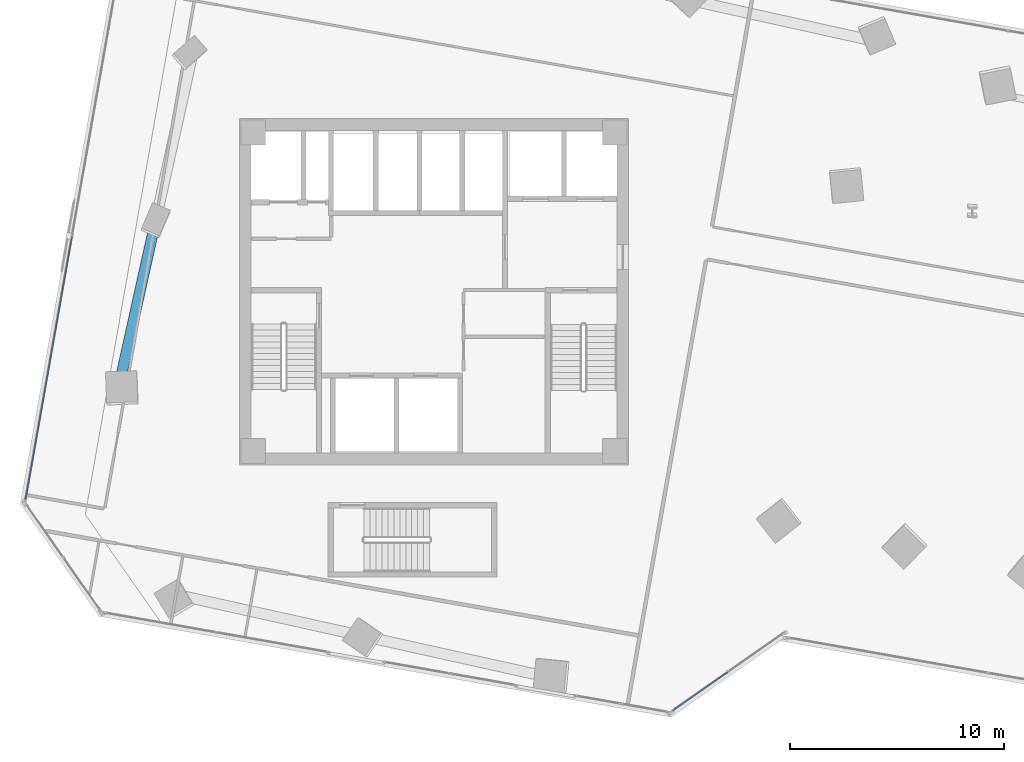
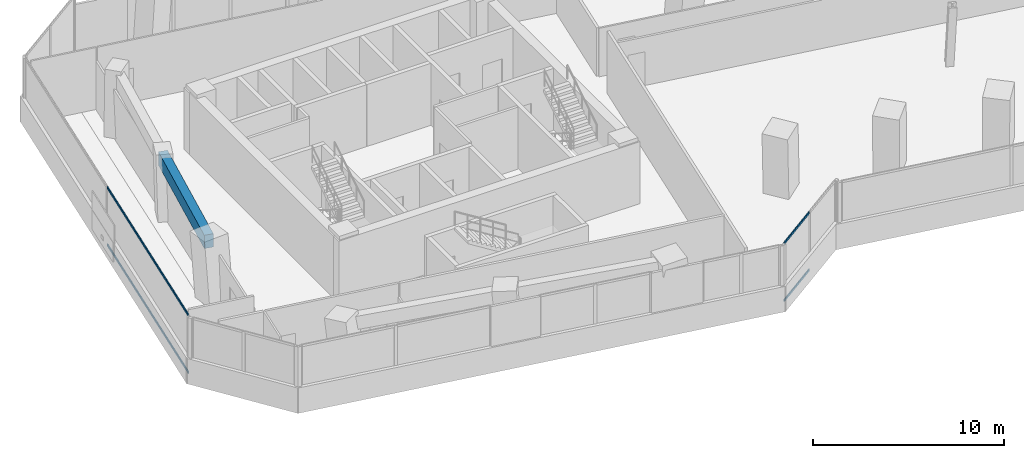
# One storey, part 5 of 24: 4 members, 1 beam, 2 elements without a shape of their own.
"""IFC4 building model written with IfcOpenShell, lengths in metres."""

from ifc_helpers import new_model, si_unit, direction, frame, origin, origin_2d, place, context, subcontext, project, spatial, rectangle, hollow_rectangle, extrude, source, transform, mapped, material, material_profile, profile_set, type_object, element, aggregate, save


model = new_model("IFC4")

# Units and contexts
model_context = context("Model", 3, precision=1e-05, world=origin(), true_north=direction((0.0, 1.0)))
body_context = subcontext(model_context, "Body", "Model", "MODEL_VIEW")
ifc_project = project(units=[si_unit("LENGTHUNIT", "METRE"), si_unit("AREAUNIT", "SQUARE_METRE"), si_unit("VOLUMEUNIT", "CUBIC_METRE"), si_unit("PLANEANGLEUNIT", "RADIAN"), si_unit("MASSUNIT", "GRAM", prefix="KILO")], contexts=[model_context])

# Site, building, storey
site_placement = place(None, origin())
site = spatial("IfcSite", under=ifc_project, at=site_placement, CompositionType="ELEMENT")
building_placement = place(site_placement, origin())
building = spatial("IfcBuilding", under=site, at=building_placement, Name="Torre Montelarca", CompositionType="ELEMENT")
storey_placement = place(building_placement, frame((0.0, 0.0, 83.199951171875)))
storey = spatial("IfcBuildingStorey", under=building, at=storey_placement, Name="L18", CompositionType="ELEMENT", Elevation=83.199951171875)

# Beam
ifc_material_1 = material(Name="Concrete C55/67", Category="concrete")
ifc_material_profile_1 = material_profile(ifc_material_1, rectangle(XDim=0.5, YDim=0.85009765625, at=origin_2d()), Name="RCB500X850", Category="concrete")
ifc_profile_set_1 = profile_set([ifc_material_profile_1], Name="Concrete C55/67")
beam_type = type_object("IfcBeamType", Name="BM-SP-RC850-EXT", PredefinedType="SPANDREL", material=ifc_profile_set_1)
shared_shape_1 = source(origin(), body_context, "Body", "SweptSolid", [
    extrude(rectangle(XDim=0.5, YDim=0.85009765625, at=origin_2d()), origin(), (0.0, 0.0, 1.0), 8.0),
])
beam_placement = place(storey_placement, frame((3.31787109375, 27.836669921875, 3.53515625), z_axis=(0.216432808664, 0.976297515788, 0.0), x_axis=(-0.976297515788, 0.216432808664, 0.0)))
element("IfcBeam", 1, at=beam_placement, inside=storey, type_object=beam_type, Name="L18 Grid Girder Y 24.0-32.0 at X=4.7", PredefinedType="SPANDREL", context=body_context, shape_type="MappedRepresentation", body=[
    mapped(shared_shape_1, transform((0.0, 0.0, 0.0), scale=1.0)),
])

# Curtain wall, members
ifc_material_2 = material(Name="Insulated low-E laminated glass", Category="glass")
curtain_wall_type = type_object("IfcCurtainWallType", Name="CW-SYS-Z1", PredefinedType="USERDEFINED", material=ifc_material_2)
curtain_wall_1_placement = place(storey_placement, origin())
curtain_wall_1 = element("IfcCurtainWall", 2, at=curtain_wall_1_placement, inside=storey, type_object=curtain_wall_type, Name="L18 Curtain Wall Run CW-T3-L18-E02-B1", ObjectType="UNITISED GLAZING", PredefinedType="USERDEFINED")
ifc_material_3 = material(Name="Anodised aluminium AA 6063-T6", Category="aluminium")
ifc_material_profile_2 = material_profile(ifc_material_3, hollow_rectangle(XDim=0.06494140625, YDim=0.139892578125, WallThickness=0.00390625, InnerFilletRadius=0.00390625, OuterFilletRadius=0.008056640625, at=origin_2d()), Name="ALU65X140X4", Category="aluminium")
ifc_profile_set_2 = profile_set([ifc_material_profile_2], Name="Anodised aluminium AA 6063-T6")
member_type = type_object("IfcMemberType", Name="CWT-ALU140", PredefinedType="USERDEFINED", material=ifc_profile_set_2)
shared_shape_2 = source(origin(), body_context, "Body", "SweptSolid", [
    extrude(hollow_rectangle(XDim=0.06494140625, YDim=0.139892578125, WallThickness=0.00390625, InnerFilletRadius=0.00390625, OuterFilletRadius=0.008056640625, at=origin_2d()), origin(), (0.0, 0.0, 1.0), 3.1025390625),
])
member_1_placement = place(storey_placement, frame((29.1884765625, 12.422607421875, 0.032470703125), z_axis=(0.819157977242, 0.573567963123, 0.0), x_axis=(-0.573567963123, 0.819157977242, 0.0)))
member_1 = element("IfcMember", 3, at=member_1_placement, type_object=member_type, Name="CW transom 1.1", ObjectType="TRANSOM", PredefinedType="USERDEFINED", context=body_context, shape_type="MappedRepresentation", body=[
    mapped(shared_shape_2, transform((0.0, 0.0, 0.0), scale=1.0)),
])
member_2_placement = place(storey_placement, frame((29.1884765625, 12.422607421875, 3.6875), z_axis=(0.819157977242, 0.573567963123, 0.0), x_axis=(-0.573567963123, 0.819157977242, 0.0)))
member_2 = element("IfcMember", 4, at=member_2_placement, type_object=member_type, Name="CW transom 1.2", ObjectType="TRANSOM", PredefinedType="USERDEFINED", context=body_context, shape_type="MappedRepresentation", body=[
    mapped(shared_shape_2, transform((0.0, 0.0, 0.0), scale=1.0)),
])
aggregate(curtain_wall_1, [member_1, member_2])

curtain_wall_2_placement = place(storey_placement, origin())
curtain_wall_2 = element("IfcCurtainWall", 5, at=curtain_wall_2_placement, inside=storey, type_object=curtain_wall_type, Name="L18 Curtain Wall Run CW-T3-L18-E10-B1", ObjectType="UNITISED GLAZING", PredefinedType="USERDEFINED")
shared_shape_3 = source(origin(), body_context, "Body", "SweptSolid", [
    extrude(hollow_rectangle(XDim=0.06494140625, YDim=0.139892578125, WallThickness=0.00390625, InnerFilletRadius=0.00390625, OuterFilletRadius=0.008056640625, at=origin_2d()), origin(), (0.0, 0.0, 1.0), 12.4365234375),
])
member_3_placement = place(storey_placement, frame((1.063232421875, 34.55517578125, 0.032470703125), z_axis=(-0.173636386485, -0.984809832043, 0.0), x_axis=(0.984809832043, -0.173636386485, 0.0)))
member_3 = element("IfcMember", 6, at=member_3_placement, type_object=member_type, Name="CW transom 2.1", ObjectType="TRANSOM", PredefinedType="USERDEFINED", context=body_context, shape_type="MappedRepresentation", body=[
    mapped(shared_shape_3, transform((0.0, 0.0, 0.0), scale=1.0)),
])
member_4_placement = place(storey_placement, frame((1.063232421875, 34.55517578125, 3.6875), z_axis=(-0.173636386485, -0.984809832043, 0.0), x_axis=(0.984809832043, -0.173636386485, 0.0)))
member_4 = element("IfcMember", 7, at=member_4_placement, type_object=member_type, Name="CW transom 2.2", ObjectType="TRANSOM", PredefinedType="USERDEFINED", context=body_context, shape_type="MappedRepresentation", body=[
    mapped(shared_shape_3, transform((0.0, 0.0, 0.0), scale=1.0)),
])
aggregate(curtain_wall_2, [member_3, member_4])

save(model, "model.ifc")
